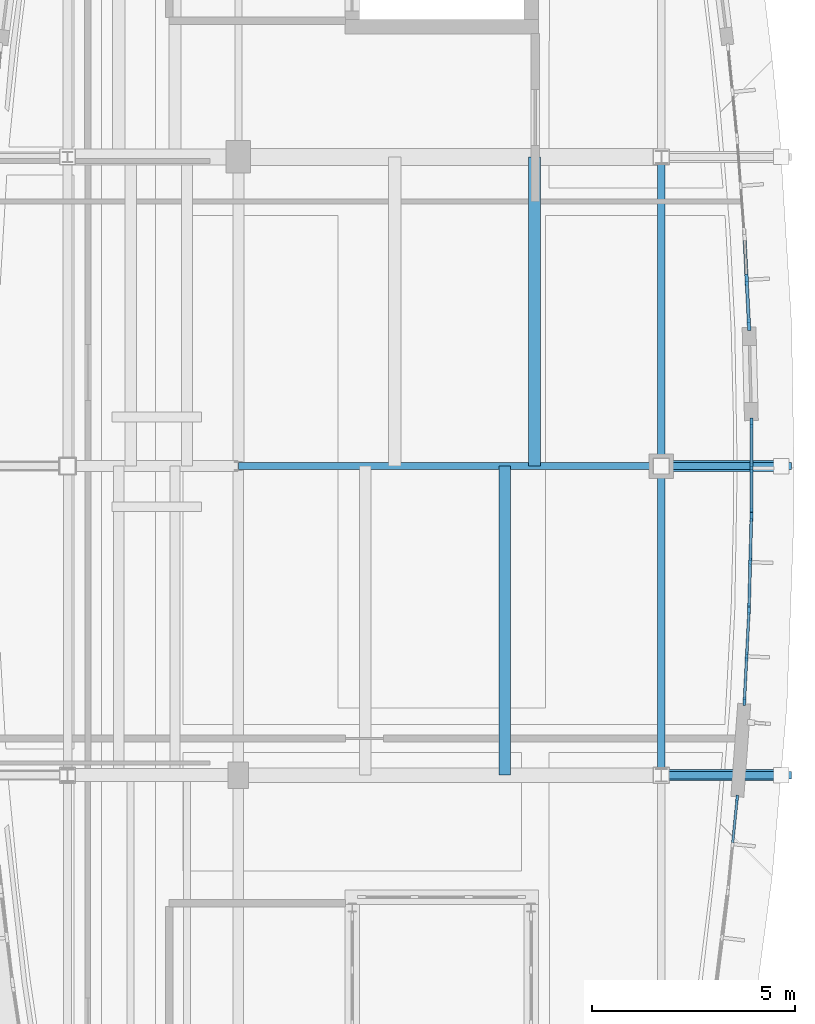
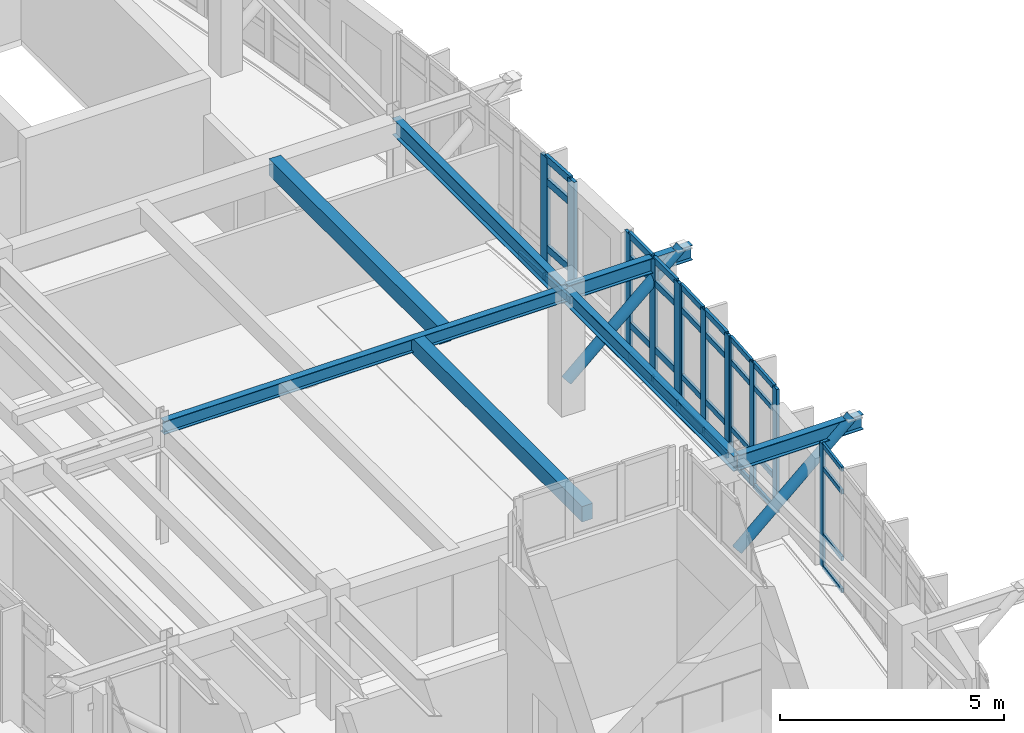
# One storey, part 8 of 20: 47 members, 7 beams, 5 elements without a shape of their own.
"""IFC4 building model written with IfcOpenShell, lengths in metres."""

from ifc_helpers import new_model, si_unit, direction, frame, origin, origin_2d, place, context, subcontext, project, spatial, rectangle, hollow_circle, i_section, extrude, material, material_profile, profile_set, type_object, element, aggregate, save


model = new_model("IFC4")

# Units and contexts
model_context = context("Model", 3, precision=1e-05, world=origin(), true_north=direction((0.0, 1.0)))
body_context = subcontext(model_context, "Body", "Model", "MODEL_VIEW")
ifc_project = project(units=[si_unit("LENGTHUNIT", "METRE"), si_unit("AREAUNIT", "SQUARE_METRE"), si_unit("VOLUMEUNIT", "CUBIC_METRE"), si_unit("PLANEANGLEUNIT", "RADIAN"), si_unit("MASSUNIT", "GRAM", prefix="KILO")], contexts=[model_context])

# Site, building, storey
site_placement = place(None, origin())
site = spatial("IfcSite", under=ifc_project, at=site_placement, CompositionType="ELEMENT")
building_placement = place(site_placement, origin())
building = spatial("IfcBuilding", under=site, at=building_placement, Name="Corveleigh Park Community Centre", CompositionType="ELEMENT")
storey_placement = place(building_placement, frame((0.0, 0.0, 19.800048828125)))
storey = spatial("IfcBuildingStorey", under=building, at=storey_placement, Name="L05", CompositionType="ELEMENT", Elevation=19.800048828125)

# Beams
ifc_material_1 = material(Name="Concrete C40/50", Category="concrete")
ifc_material_profile_1 = material_profile(ifc_material_1, rectangle(XDim=0.27490234375, YDim=0.425048828125, at=origin_2d()), Name="RC-275x425", Category="concrete")
ifc_profile_set_1 = profile_set([ifc_material_profile_1], Name="Concrete C40/50")
beam_type_1 = type_object("IfcBeamType", Name="BM-RC-275x425", PredefinedType="JOIST", material=ifc_profile_set_1)
beam_1_placement = place(storey_placement, frame((164.552001953125, 73.804931640625, 3.099365234375), z_axis=(0.0, 1.0, 0.0), x_axis=(-1.0, 0.0, 0.0)))
element("IfcBeam", 1, at=beam_1_placement, inside=storey, type_object=beam_type_1, Name="Secondary floor joist", PredefinedType="JOIST", context=body_context, shape_type="SweptSolid", body=[
    extrude(rectangle(XDim=0.27490234375, YDim=0.425048828125, at=origin_2d()), origin(), (0.0, 0.0, 1.0), 7.590087890625),
])
ifc_material_profile_2 = material_profile(ifc_material_1, rectangle(XDim=0.300048828125, YDim=0.449951171875, at=origin_2d()), Name="RC-300x450", Category="concrete")
ifc_profile_set_2 = profile_set([ifc_material_profile_2], Name="Concrete C40/50")
beam_type_2 = type_object("IfcBeamType", Name="BM-RC-300x450", PredefinedType="JOIST", material=ifc_profile_set_2)
beam_2_placement = place(storey_placement, frame((165.280029296875, 81.405029296875, 3.0869140625), z_axis=(0.0, 1.0, 0.0), x_axis=(-1.0, 0.0, 0.0)))
element("IfcBeam", 2, at=beam_2_placement, inside=storey, type_object=beam_type_2, Name="Secondary floor joist", PredefinedType="JOIST", context=body_context, shape_type="SweptSolid", body=[
    extrude(rectangle(XDim=0.300048828125, YDim=0.449951171875, at=origin_2d()), origin(), (0.0, 0.0, 1.0), 7.590087890625),
])
ifc_material_2 = material(Name="Steel S355", Category="steel")
ifc_material_profile_3 = material_profile(ifc_material_2, i_section(OverallWidth=0.172119140625, OverallDepth=0.35791015625, WebThickness=0.008056640625, FlangeThickness=0.012939453125, at=origin_2d()), Name="UKB 356x171x57", Category="steel")
ifc_profile_set_3 = profile_set([ifc_material_profile_3], Name="Steel S355")
beam_type_3 = type_object("IfcBeamType", Name="BM-STL-UKB356x57", PredefinedType="BEAM", material=ifc_profile_set_3)
beam_3_placement = place(storey_placement, frame((158.0048828125, 81.39990234375, 3.133056640625), z_axis=(1.0, 0.0, 0.0), x_axis=(0.0, 1.0, 0.0)))
element("IfcBeam", 3, at=beam_3_placement, inside=storey, type_object=beam_type_3, Name="V4 Girder X", PredefinedType="BEAM", context=body_context, shape_type="SweptSolid", body=[
    extrude(i_section(OverallWidth=0.172119140625, OverallDepth=0.35791015625, WebThickness=0.008056640625, FlangeThickness=0.012939453125, at=origin_2d()), origin(), (0.0, 0.0, 1.0), 10.39013671875),
])
ifc_material_profile_4 = material_profile(ifc_material_2, i_section(OverallWidth=0.1787109375, OverallDepth=0.409423828125, WebThickness=0.0087890625, FlangeThickness=0.014404296875, at=origin_2d()), Name="UKB 406x178x67", Category="steel")
ifc_profile_set_4 = profile_set([ifc_material_profile_4], Name="Steel S355")
beam_type_4 = type_object("IfcBeamType", Name="BM-STL-UKB406x67", PredefinedType="BEAM", material=ifc_profile_set_4)
for number, where, z_axis, x_axis, name in (
    (4, (168.409912109375, 73.800048828125, 3.1591796875), (1.0, 0.0, 0.0), (0.0, 1.0, 0.0), "V4 Crown Overhang Strut X7Y2 Outrigger"),
    (5, (168.409912109375, 81.39990234375, 3.1591796875), (1.0, 0.0, 0.0), (0.0, 1.0, 0.0), "V4 Crown Overhang Strut X7Y3 Outrigger"),
):
    element("IfcBeam", number, at=place(storey_placement, frame(where, z_axis=z_axis, x_axis=x_axis)), inside=storey, type_object=beam_type_4, Name=name, PredefinedType="BEAM", context=body_context, shape_type="SweptSolid", body=[
        extrude(i_section(OverallWidth=0.1787109375, OverallDepth=0.409423828125, WebThickness=0.0087890625, FlangeThickness=0.014404296875, at=origin_2d()), origin(), (0.0, 0.0, 1.0), 3.190185546875),
    ])
ifc_material_profile_5 = material_profile(ifc_material_2, i_section(OverallWidth=0.179443359375, OverallDepth=0.412841796875, WebThickness=0.009521484375, FlangeThickness=0.01611328125, at=origin_2d()), Name="UKB 406x178x74", Category="steel")
ifc_profile_set_5 = profile_set([ifc_material_profile_5], Name="Steel S355")
beam_type_5 = type_object("IfcBeamType", Name="BM-STL-UKB406x74", PredefinedType="BEAM", material=ifc_profile_set_5)
beam_4_placement = place(storey_placement, frame((168.39990234375, 73.804931640625, 3.10546875), z_axis=(0.0, 1.0, 0.0), x_axis=(-1.0, 0.0, 0.0)))
element("IfcBeam", 6, at=beam_4_placement, inside=storey, type_object=beam_type_5, Name="V4 Girder Y", PredefinedType="BEAM", context=body_context, shape_type="SweptSolid", body=[
    extrude(i_section(OverallWidth=0.179443359375, OverallDepth=0.412841796875, WebThickness=0.009521484375, FlangeThickness=0.01611328125, at=origin_2d()), origin(), (0.0, 0.0, 1.0), 7.590087890625),
])
ifc_material_profile_6 = material_profile(ifc_material_2, i_section(OverallWidth=0.18994140625, OverallDepth=0.453369140625, WebThickness=0.008544921875, FlangeThickness=0.0126953125, at=origin_2d()), Name="UKB 457x191x67", Category="steel")
ifc_profile_set_6 = profile_set([ifc_material_profile_6], Name="Steel S355")
beam_type_6 = type_object("IfcBeamType", Name="BM-STL-UKB457x67", PredefinedType="BEAM", material=ifc_profile_set_6)
beam_5_placement = place(storey_placement, frame((168.39990234375, 81.405029296875, 3.085205078125), z_axis=(0.0, 1.0, 0.0), x_axis=(-1.0, 0.0, 0.0)))
element("IfcBeam", 7, at=beam_5_placement, inside=storey, type_object=beam_type_6, Name="V4 Girder Y", PredefinedType="BEAM", context=body_context, shape_type="SweptSolid", body=[
    extrude(i_section(OverallWidth=0.18994140625, OverallDepth=0.453369140625, WebThickness=0.008544921875, FlangeThickness=0.0126953125, at=origin_2d()), origin(), (0.0, 0.0, 1.0), 7.590087890625),
])

# Curtain wall, member
ifc_material_3 = material(Name="Anodised aluminium 6063-T6", Category="aluminium")
curtain_wall_type = type_object("IfcCurtainWallType", Name="CW-SYS-V4-L03", PredefinedType="NOTDEFINED", material=ifc_material_3)
curtain_wall_1_placement = place(storey_placement, origin())
curtain_wall_1 = element("IfcCurtainWall", 8, at=curtain_wall_1_placement, inside=storey, type_object=curtain_wall_type, Name="V4 L05 Curtain Wall 476", PredefinedType="NOTDEFINED")
ifc_material_profile_7 = material_profile(ifc_material_3, rectangle(XDim=0.06494140625, YDim=0.179931640625, at=origin_2d()), Name="ALU-M65x180", Category="aluminium")
ifc_profile_set_7 = profile_set([ifc_material_profile_7], Name="Anodised aluminium 6063-T6")
member_type_1 = type_object("IfcMemberType", Name="CWM-65x180", PredefinedType="MULLION", material=ifc_profile_set_7)
member_1_placement = place(storey_placement, frame((170.263671875, 73.215576171875, 0.0), z_axis=(0.0, 0.0, 1.0), x_axis=(0.995015609659, -0.099719288676, 0.0)))
member_1 = element("IfcMember", 9, at=member_1_placement, type_object=member_type_1, Name="CW09 mullion 1", PredefinedType="MULLION", context=body_context, shape_type="SweptSolid", body=[
    extrude(rectangle(XDim=0.06494140625, YDim=0.179931640625, at=origin_2d()), origin(), (0.0, 0.0, 1.0), 3.364013671875),
])

# Curtain wall, members
curtain_wall_2_placement = place(storey_placement, origin())
curtain_wall_2 = element("IfcCurtainWall", 10, at=curtain_wall_2_placement, inside=storey, type_object=curtain_wall_type, Name="V4 L05 Curtain Wall 477", PredefinedType="NOTDEFINED")
ifc_material_profile_8 = material_profile(ifc_material_3, rectangle(XDim=0.070068359375, YDim=0.199951171875, at=origin_2d()), Name="ALU-M70x200", Category="aluminium")
ifc_profile_set_8 = profile_set([ifc_material_profile_8], Name="Anodised aluminium 6063-T6")
member_type_2 = type_object("IfcMemberType", Name="CWM-70x200", PredefinedType="MULLION", material=ifc_profile_set_8)
member_2_placement = place(storey_placement, frame((170.55517578125, 77.833984375, 0.0), z_axis=(0.0, 0.0, 1.0), x_axis=(0.998725060912, -0.050480220936, 0.0)))
member_2 = element("IfcMember", 11, at=member_2_placement, type_object=member_type_2, Name="CW09 mullion 1", PredefinedType="MULLION", context=body_context, shape_type="SweptSolid", body=[
    extrude(rectangle(XDim=0.070068359375, YDim=0.199951171875, at=origin_2d()), origin(), (0.0, 0.0, 1.0), 3.364013671875),
])
member_3_placement = place(storey_placement, frame((170.4990234375, 76.721435546875, 0.0), z_axis=(0.0, 0.0, 1.0), x_axis=(0.998725060912, -0.050480220936, 0.0)))
member_3 = element("IfcMember", 12, at=member_3_placement, type_object=member_type_2, Name="CW09 mullion 2", PredefinedType="MULLION", context=body_context, shape_type="SweptSolid", body=[
    extrude(rectangle(XDim=0.070068359375, YDim=0.199951171875, at=origin_2d()), origin(), (0.0, 0.0, 1.0), 3.364013671875),
])
member_4_placement = place(storey_placement, frame((170.44287109375, 75.60888671875, 0.0), z_axis=(0.0, 0.0, 1.0), x_axis=(0.998725060912, -0.050480220936, 0.0)))
member_4 = element("IfcMember", 13, at=member_4_placement, type_object=member_type_2, Name="CW09 mullion 3", PredefinedType="MULLION", context=body_context, shape_type="SweptSolid", body=[
    extrude(rectangle(XDim=0.070068359375, YDim=0.199951171875, at=origin_2d()), origin(), (0.0, 0.0, 1.0), 3.364013671875),
])

curtain_wall_3_placement = place(storey_placement, origin())
curtain_wall_3 = element("IfcCurtainWall", 14, at=curtain_wall_3_placement, inside=storey, type_object=curtain_wall_type, Name="V4 L05 Curtain Wall 478", PredefinedType="NOTDEFINED")
ifc_material_profile_9 = material_profile(ifc_material_3, rectangle(XDim=0.074951171875, YDim=0.219970703125, at=origin_2d()), Name="ALU-M75x220", Category="aluminium")
ifc_profile_set_9 = profile_set([ifc_material_profile_9], Name="Anodised aluminium 6063-T6")
member_type_3 = type_object("IfcMemberType", Name="CWM-75x220", PredefinedType="MULLION", material=ifc_profile_set_9)
member_5_placement = place(storey_placement, frame((170.614013671875, 80.1455078125, 0.0), z_axis=(0.0, 0.0, 1.0), x_axis=(0.999681085378, -0.025253267842, 0.0)))
member_5 = element("IfcMember", 15, at=member_5_placement, type_object=member_type_3, Name="CW09 mullion 1", PredefinedType="MULLION", context=body_context, shape_type="SweptSolid", body=[
    extrude(rectangle(XDim=0.074951171875, YDim=0.219970703125, at=origin_2d()), origin(), (0.0, 0.0, 1.0), 3.364013671875),
])
member_6_placement = place(storey_placement, frame((170.5859375, 79.034912109375, 0.0), z_axis=(0.0, 0.0, 1.0), x_axis=(0.999681085378, -0.025253267842, 0.0)))
member_6 = element("IfcMember", 16, at=member_6_placement, type_object=member_type_3, Name="CW09 mullion 2", PredefinedType="MULLION", context=body_context, shape_type="SweptSolid", body=[
    extrude(rectangle(XDim=0.074951171875, YDim=0.219970703125, at=origin_2d()), origin(), (0.0, 0.0, 1.0), 3.364013671875),
])
member_7_placement = place(storey_placement, frame((170.557861328125, 77.924560546875, 0.0), z_axis=(0.0, 0.0, 1.0), x_axis=(0.999681085378, -0.025253267842, 0.0)))
member_7 = element("IfcMember", 17, at=member_7_placement, type_object=member_type_3, Name="CW09 mullion 3", PredefinedType="MULLION", context=body_context, shape_type="SweptSolid", body=[
    extrude(rectangle(XDim=0.074951171875, YDim=0.219970703125, at=origin_2d()), origin(), (0.0, 0.0, 1.0), 3.364013671875),
])

curtain_wall_4_placement = place(storey_placement, origin())
curtain_wall_4 = element("IfcCurtainWall", 18, at=curtain_wall_4_placement, inside=storey, type_object=curtain_wall_type, Name="V4 L05 Curtain Wall 479", PredefinedType="NOTDEFINED")
ifc_material_profile_10 = material_profile(ifc_material_3, rectangle(XDim=0.080078125, YDim=0.25, at=origin_2d()), Name="ALU-M80x250", Category="aluminium")
ifc_profile_set_10 = profile_set([ifc_material_profile_10], Name="Anodised aluminium 6063-T6")
member_type_4 = type_object("IfcMemberType", Name="CWM-80x250", PredefinedType="MULLION", material=ifc_profile_set_10)
member_8_placement = place(storey_placement, frame((170.614990234375, 82.458984375, 0.0), z_axis=(0.0, 0.0, 1.0), x_axis=(1.0, 0.0, 0.0)))
member_8 = element("IfcMember", 19, at=member_8_placement, type_object=member_type_4, Name="CW09 mullion 1", PredefinedType="MULLION", context=body_context, shape_type="SweptSolid", body=[
    extrude(rectangle(XDim=0.080078125, YDim=0.25, at=origin_2d()), origin(), (0.0, 0.0, 1.0), 3.364013671875),
])
member_9_placement = place(storey_placement, frame((170.614990234375, 81.35009765625, 0.0), z_axis=(0.0, 0.0, 1.0), x_axis=(1.0, 0.0, 0.0)))
member_9 = element("IfcMember", 20, at=member_9_placement, type_object=member_type_4, Name="CW09 mullion 2", PredefinedType="MULLION", context=body_context, shape_type="SweptSolid", body=[
    extrude(rectangle(XDim=0.080078125, YDim=0.25, at=origin_2d()), origin(), (0.0, 0.0, 1.0), 3.364013671875),
])
member_10_placement = place(storey_placement, frame((170.614990234375, 80.240966796875, 0.0), z_axis=(0.0, 0.0, 1.0), x_axis=(1.0, 0.0, 0.0)))
member_10 = element("IfcMember", 21, at=member_10_placement, type_object=member_type_4, Name="CW09 mullion 3", PredefinedType="MULLION", context=body_context, shape_type="SweptSolid", body=[
    extrude(rectangle(XDim=0.080078125, YDim=0.25, at=origin_2d()), origin(), (0.0, 0.0, 1.0), 3.364013671875),
])

curtain_wall_5_placement = place(storey_placement, origin())
curtain_wall_5 = element("IfcCurtainWall", 22, at=curtain_wall_5_placement, inside=storey, type_object=curtain_wall_type, Name="V4 L05 Curtain Wall 480", PredefinedType="NOTDEFINED")
ifc_material_profile_11 = material_profile(ifc_material_3, rectangle(XDim=0.0849609375, YDim=0.27490234375, at=origin_2d()), Name="ALU-M85x275", Category="aluminium")
ifc_profile_set_11 = profile_set([ifc_material_profile_11], Name="Anodised aluminium 6063-T6")
member_type_5 = type_object("IfcMemberType", Name="CWM-85x275", PredefinedType="MULLION", material=ifc_profile_set_11)
member_11_placement = place(storey_placement, frame((170.4990234375, 85.978515625, 0.0), z_axis=(0.0, 0.0, 1.0), x_axis=(0.998725060912, 0.050480220936, 0.0)))
member_11 = element("IfcMember", 23, at=member_11_placement, type_object=member_type_5, Name="CW09 mullion 2", PredefinedType="MULLION", context=body_context, shape_type="SweptSolid", body=[
    extrude(rectangle(XDim=0.0849609375, YDim=0.27490234375, at=origin_2d()), origin(), (0.0, 0.0, 1.0), 3.364013671875),
])
member_12_placement = place(storey_placement, frame((170.554931640625, 84.87353515625, 0.0), z_axis=(0.0, 0.0, 1.0), x_axis=(0.998725060912, 0.050480220936, 0.0)))
member_12 = element("IfcMember", 24, at=member_12_placement, type_object=member_type_5, Name="CW09 mullion 3", PredefinedType="MULLION", context=body_context, shape_type="SweptSolid", body=[
    extrude(rectangle(XDim=0.0849609375, YDim=0.27490234375, at=origin_2d()), origin(), (0.0, 0.0, 1.0), 3.364013671875),
])

# Member
ifc_material_profile_12 = material_profile(ifc_material_3, rectangle(XDim=0.06005859375, YDim=0.1201171875, at=origin_2d()), Name="ALU-T60x120", Category="aluminium")
ifc_profile_set_12 = profile_set([ifc_material_profile_12], Name="Anodised aluminium 6063-T6")
member_type_6 = type_object("IfcMemberType", Name="CWT-60x120", PredefinedType="USERDEFINED", material=ifc_profile_set_12)
member_13_placement = place(storey_placement, frame((170.260498046875, 73.183349609375, 0.030029296875), z_axis=(-0.099687774693, -0.99501876745, 0.0), x_axis=(0.99501876745, -0.099687774693, 0.0)))
member_13 = element("IfcMember", 25, at=member_13_placement, type_object=member_type_6, Name="CW09 transom 1.1", ObjectType="TRANSOM", PredefinedType="USERDEFINED", context=body_context, shape_type="SweptSolid", body=[
    extrude(rectangle(XDim=0.06005859375, YDim=0.1201171875, at=origin_2d()), origin(), (0.0, 0.0, 1.0), 1.050537109375),
])

member_14_placement = place(storey_placement, frame((170.260498046875, 73.183349609375, 0.89990234375), z_axis=(-0.099687774693, -0.99501876745, 0.0), x_axis=(0.99501876745, -0.099687774693, 0.0)))
member_14 = element("IfcMember", 26, at=member_14_placement, type_object=member_type_6, Name="CW09 transom 1.2", ObjectType="TRANSOM", PredefinedType="USERDEFINED", context=body_context, shape_type="SweptSolid", body=[
    extrude(rectangle(XDim=0.06005859375, YDim=0.1201171875, at=origin_2d()), origin(), (0.0, 0.0, 1.0), 1.050537109375),
])

member_15_placement = place(storey_placement, frame((170.260498046875, 73.183349609375, 2.7138671875), z_axis=(-0.099687774693, -0.99501876745, 0.0), x_axis=(0.99501876745, -0.099687774693, 0.0)))
member_15 = element("IfcMember", 27, at=member_15_placement, type_object=member_type_6, Name="CW09 transom 1.3", ObjectType="TRANSOM", PredefinedType="USERDEFINED", context=body_context, shape_type="SweptSolid", body=[
    extrude(rectangle(XDim=0.06005859375, YDim=0.1201171875, at=origin_2d()), origin(), (0.0, 0.0, 1.0), 1.050537109375),
])

member_16_placement = place(storey_placement, frame((170.260498046875, 73.183349609375, 3.333984375), z_axis=(-0.099687774693, -0.99501876745, 0.0), x_axis=(0.99501876745, -0.099687774693, 0.0)))
member_16 = element("IfcMember", 28, at=member_16_placement, type_object=member_type_6, Name="CW09 transom 1.4", ObjectType="TRANSOM", PredefinedType="USERDEFINED", context=body_context, shape_type="SweptSolid", body=[
    extrude(rectangle(XDim=0.06005859375, YDim=0.1201171875, at=origin_2d()), origin(), (0.0, 0.0, 1.0), 1.050537109375),
])

aggregate(curtain_wall_1, [member_1, member_13, member_14, member_15, member_16])

ifc_material_profile_13 = material_profile(ifc_material_3, rectangle(XDim=0.06494140625, YDim=0.139892578125, at=origin_2d()), Name="ALU-T65x140", Category="aluminium")
ifc_profile_set_13 = profile_set([ifc_material_profile_13], Name="Anodised aluminium 6063-T6")
member_type_7 = type_object("IfcMemberType", Name="CWT-65x140", PredefinedType="USERDEFINED", material=ifc_profile_set_13)
member_17_placement = place(storey_placement, frame((170.553466796875, 77.799072265625, 0.032470703125), z_axis=(-0.050509084043, -0.998723601618, 0.0), x_axis=(0.998723601618, -0.050509084043, 0.0)))
member_17 = element("IfcMember", 29, at=member_17_placement, type_object=member_type_7, Name="CW09 transom 1.1", ObjectType="TRANSOM", PredefinedType="USERDEFINED", context=body_context, shape_type="SweptSolid", body=[
    extrude(rectangle(XDim=0.06494140625, YDim=0.139892578125, at=origin_2d()), origin(), (0.0, 0.0, 1.0), 1.0439453125),
])

member_18_placement = place(storey_placement, frame((170.553466796875, 77.799072265625, 0.89990234375), z_axis=(-0.050509084043, -0.998723601618, 0.0), x_axis=(0.998723601618, -0.050509084043, 0.0)))
member_18 = element("IfcMember", 30, at=member_18_placement, type_object=member_type_7, Name="CW09 transom 1.2", ObjectType="TRANSOM", PredefinedType="USERDEFINED", context=body_context, shape_type="SweptSolid", body=[
    extrude(rectangle(XDim=0.06494140625, YDim=0.139892578125, at=origin_2d()), origin(), (0.0, 0.0, 1.0), 1.0439453125),
])

member_19_placement = place(storey_placement, frame((170.553466796875, 77.799072265625, 2.7138671875), z_axis=(-0.050509084043, -0.998723601618, 0.0), x_axis=(0.998723601618, -0.050509084043, 0.0)))
member_19 = element("IfcMember", 31, at=member_19_placement, type_object=member_type_7, Name="CW09 transom 1.3", ObjectType="TRANSOM", PredefinedType="USERDEFINED", context=body_context, shape_type="SweptSolid", body=[
    extrude(rectangle(XDim=0.06494140625, YDim=0.139892578125, at=origin_2d()), origin(), (0.0, 0.0, 1.0), 1.0439453125),
])

member_20_placement = place(storey_placement, frame((170.553466796875, 77.799072265625, 3.33154296875), z_axis=(-0.050509084043, -0.998723601618, 0.0), x_axis=(0.998723601618, -0.050509084043, 0.0)))
member_20 = element("IfcMember", 32, at=member_20_placement, type_object=member_type_7, Name="CW09 transom 1.4", ObjectType="TRANSOM", PredefinedType="USERDEFINED", context=body_context, shape_type="SweptSolid", body=[
    extrude(rectangle(XDim=0.06494140625, YDim=0.139892578125, at=origin_2d()), origin(), (0.0, 0.0, 1.0), 1.0439453125),
])

member_21_placement = place(storey_placement, frame((170.497314453125, 76.6865234375, 0.032470703125), z_axis=(-0.050509084043, -0.998723601618, 0.0), x_axis=(0.998723601618, -0.050509084043, 0.0)))
member_21 = element("IfcMember", 33, at=member_21_placement, type_object=member_type_7, Name="CW09 transom 2.1", ObjectType="TRANSOM", PredefinedType="USERDEFINED", context=body_context, shape_type="SweptSolid", body=[
    extrude(rectangle(XDim=0.06494140625, YDim=0.139892578125, at=origin_2d()), origin(), (0.0, 0.0, 1.0), 1.0439453125),
])

member_22_placement = place(storey_placement, frame((170.497314453125, 76.6865234375, 0.89990234375), z_axis=(-0.050509084043, -0.998723601618, 0.0), x_axis=(0.998723601618, -0.050509084043, 0.0)))
member_22 = element("IfcMember", 34, at=member_22_placement, type_object=member_type_7, Name="CW09 transom 2.2", ObjectType="TRANSOM", PredefinedType="USERDEFINED", context=body_context, shape_type="SweptSolid", body=[
    extrude(rectangle(XDim=0.06494140625, YDim=0.139892578125, at=origin_2d()), origin(), (0.0, 0.0, 1.0), 1.0439453125),
])

member_23_placement = place(storey_placement, frame((170.497314453125, 76.6865234375, 2.7138671875), z_axis=(-0.050509084043, -0.998723601618, 0.0), x_axis=(0.998723601618, -0.050509084043, 0.0)))
member_23 = element("IfcMember", 35, at=member_23_placement, type_object=member_type_7, Name="CW09 transom 2.3", ObjectType="TRANSOM", PredefinedType="USERDEFINED", context=body_context, shape_type="SweptSolid", body=[
    extrude(rectangle(XDim=0.06494140625, YDim=0.139892578125, at=origin_2d()), origin(), (0.0, 0.0, 1.0), 1.0439453125),
])

member_24_placement = place(storey_placement, frame((170.497314453125, 76.6865234375, 3.33154296875), z_axis=(-0.050509084043, -0.998723601618, 0.0), x_axis=(0.998723601618, -0.050509084043, 0.0)))
member_24 = element("IfcMember", 36, at=member_24_placement, type_object=member_type_7, Name="CW09 transom 2.4", ObjectType="TRANSOM", PredefinedType="USERDEFINED", context=body_context, shape_type="SweptSolid", body=[
    extrude(rectangle(XDim=0.06494140625, YDim=0.139892578125, at=origin_2d()), origin(), (0.0, 0.0, 1.0), 1.0439453125),
])

aggregate(curtain_wall_2, [member_2, member_3, member_4, member_17, member_18, member_19, member_20, member_21, member_22, member_23, member_24])

ifc_material_profile_14 = material_profile(ifc_material_3, rectangle(XDim=0.070068359375, YDim=0.155029296875, at=origin_2d()), Name="ALU-T70x155", Category="aluminium")
ifc_profile_set_14 = profile_set([ifc_material_profile_14], Name="Anodised aluminium 6063-T6")
member_type_8 = type_object("IfcMemberType", Name="CWT-70x155", PredefinedType="USERDEFINED", material=ifc_profile_set_14)
member_25_placement = place(storey_placement, frame((170.613037109375, 80.10791015625, 0.034912109375), z_axis=(-0.025221872422, -0.999681877975, 0.0), x_axis=(0.999681877975, -0.025221872422, 0.0)))
member_25 = element("IfcMember", 37, at=member_25_placement, type_object=member_type_8, Name="CW09 transom 1.1", ObjectType="TRANSOM", PredefinedType="USERDEFINED", context=body_context, shape_type="SweptSolid", body=[
    extrude(rectangle(XDim=0.070068359375, YDim=0.155029296875, at=origin_2d()), origin(), (0.0, 0.0, 1.0), 1.03564453125),
])

member_26_placement = place(storey_placement, frame((170.613037109375, 80.10791015625, 0.89990234375), z_axis=(-0.025221872422, -0.999681877975, 0.0), x_axis=(0.999681877975, -0.025221872422, 0.0)))
member_26 = element("IfcMember", 38, at=member_26_placement, type_object=member_type_8, Name="CW09 transom 1.2", ObjectType="TRANSOM", PredefinedType="USERDEFINED", context=body_context, shape_type="SweptSolid", body=[
    extrude(rectangle(XDim=0.070068359375, YDim=0.155029296875, at=origin_2d()), origin(), (0.0, 0.0, 1.0), 1.03564453125),
])

member_27_placement = place(storey_placement, frame((170.613037109375, 80.10791015625, 2.7138671875), z_axis=(-0.025221872422, -0.999681877975, 0.0), x_axis=(0.999681877975, -0.025221872422, 0.0)))
member_27 = element("IfcMember", 39, at=member_27_placement, type_object=member_type_8, Name="CW09 transom 1.3", ObjectType="TRANSOM", PredefinedType="USERDEFINED", context=body_context, shape_type="SweptSolid", body=[
    extrude(rectangle(XDim=0.070068359375, YDim=0.155029296875, at=origin_2d()), origin(), (0.0, 0.0, 1.0), 1.03564453125),
])

member_28_placement = place(storey_placement, frame((170.613037109375, 80.10791015625, 3.328857421875), z_axis=(-0.025221872422, -0.999681877975, 0.0), x_axis=(0.999681877975, -0.025221872422, 0.0)))
member_28 = element("IfcMember", 40, at=member_28_placement, type_object=member_type_8, Name="CW09 transom 1.4", ObjectType="TRANSOM", PredefinedType="USERDEFINED", context=body_context, shape_type="SweptSolid", body=[
    extrude(rectangle(XDim=0.070068359375, YDim=0.155029296875, at=origin_2d()), origin(), (0.0, 0.0, 1.0), 1.03564453125),
])

member_29_placement = place(storey_placement, frame((170.5849609375, 78.99755859375, 0.034912109375), z_axis=(-0.025215930453, -0.999682027873, 0.0), x_axis=(0.999682027873, -0.025215930453, 0.0)))
member_29 = element("IfcMember", 41, at=member_29_placement, type_object=member_type_8, Name="CW09 transom 2.1", ObjectType="TRANSOM", PredefinedType="USERDEFINED", context=body_context, shape_type="SweptSolid", body=[
    extrude(rectangle(XDim=0.070068359375, YDim=0.155029296875, at=origin_2d()), origin(), (0.0, 0.0, 1.0), 1.035888671875),
])

member_30_placement = place(storey_placement, frame((170.5849609375, 78.99755859375, 0.89990234375), z_axis=(-0.025215930453, -0.999682027873, 0.0), x_axis=(0.999682027873, -0.025215930453, 0.0)))
member_30 = element("IfcMember", 42, at=member_30_placement, type_object=member_type_8, Name="CW09 transom 2.2", ObjectType="TRANSOM", PredefinedType="USERDEFINED", context=body_context, shape_type="SweptSolid", body=[
    extrude(rectangle(XDim=0.070068359375, YDim=0.155029296875, at=origin_2d()), origin(), (0.0, 0.0, 1.0), 1.035888671875),
])

member_31_placement = place(storey_placement, frame((170.5849609375, 78.99755859375, 2.7138671875), z_axis=(-0.025215930453, -0.999682027873, 0.0), x_axis=(0.999682027873, -0.025215930453, 0.0)))
member_31 = element("IfcMember", 43, at=member_31_placement, type_object=member_type_8, Name="CW09 transom 2.3", ObjectType="TRANSOM", PredefinedType="USERDEFINED", context=body_context, shape_type="SweptSolid", body=[
    extrude(rectangle(XDim=0.070068359375, YDim=0.155029296875, at=origin_2d()), origin(), (0.0, 0.0, 1.0), 1.035888671875),
])

member_32_placement = place(storey_placement, frame((170.5849609375, 78.99755859375, 3.328857421875), z_axis=(-0.025215930453, -0.999682027873, 0.0), x_axis=(0.999682027873, -0.025215930453, 0.0)))
member_32 = element("IfcMember", 44, at=member_32_placement, type_object=member_type_8, Name="CW09 transom 2.4", ObjectType="TRANSOM", PredefinedType="USERDEFINED", context=body_context, shape_type="SweptSolid", body=[
    extrude(rectangle(XDim=0.070068359375, YDim=0.155029296875, at=origin_2d()), origin(), (0.0, 0.0, 1.0), 1.035888671875),
])

aggregate(curtain_wall_3, [member_5, member_6, member_7, member_25, member_26, member_27, member_28, member_29, member_30, member_31, member_32])

ifc_material_profile_15 = material_profile(ifc_material_3, rectangle(XDim=0.074951171875, YDim=0.175048828125, at=origin_2d()), Name="ALU-T75x175", Category="aluminium")
ifc_profile_set_15 = profile_set([ifc_material_profile_15], Name="Anodised aluminium 6063-T6")
member_type_9 = type_object("IfcMemberType", Name="CWT-75x175", PredefinedType="USERDEFINED", material=ifc_profile_set_15)
member_33_placement = place(storey_placement, frame((170.614990234375, 82.4189453125, 0.037353515625), z_axis=(0.0, -1.0, 0.0), x_axis=(1.0, 0.0, 0.0)))
member_33 = element("IfcMember", 45, at=member_33_placement, type_object=member_type_9, Name="CW09 transom 1.1", ObjectType="TRANSOM", PredefinedType="USERDEFINED", context=body_context, shape_type="SweptSolid", body=[
    extrude(rectangle(XDim=0.074951171875, YDim=0.175048828125, at=origin_2d()), origin(), (0.0, 0.0, 1.0), 1.029052734375),
])

member_34_placement = place(storey_placement, frame((170.614990234375, 82.4189453125, 0.89990234375), z_axis=(0.0, -1.0, 0.0), x_axis=(1.0, 0.0, 0.0)))
member_34 = element("IfcMember", 46, at=member_34_placement, type_object=member_type_9, Name="CW09 transom 1.2", ObjectType="TRANSOM", PredefinedType="USERDEFINED", context=body_context, shape_type="SweptSolid", body=[
    extrude(rectangle(XDim=0.074951171875, YDim=0.175048828125, at=origin_2d()), origin(), (0.0, 0.0, 1.0), 1.029052734375),
])

member_35_placement = place(storey_placement, frame((170.614990234375, 82.4189453125, 2.7138671875), z_axis=(0.0, -1.0, 0.0), x_axis=(1.0, 0.0, 0.0)))
member_35 = element("IfcMember", 47, at=member_35_placement, type_object=member_type_9, Name="CW09 transom 1.3", ObjectType="TRANSOM", PredefinedType="USERDEFINED", context=body_context, shape_type="SweptSolid", body=[
    extrude(rectangle(XDim=0.074951171875, YDim=0.175048828125, at=origin_2d()), origin(), (0.0, 0.0, 1.0), 1.029052734375),
])

member_36_placement = place(storey_placement, frame((170.614990234375, 82.4189453125, 3.326416015625), z_axis=(0.0, -1.0, 0.0), x_axis=(1.0, 0.0, 0.0)))
member_36 = element("IfcMember", 48, at=member_36_placement, type_object=member_type_9, Name="CW09 transom 1.4", ObjectType="TRANSOM", PredefinedType="USERDEFINED", context=body_context, shape_type="SweptSolid", body=[
    extrude(rectangle(XDim=0.074951171875, YDim=0.175048828125, at=origin_2d()), origin(), (0.0, 0.0, 1.0), 1.029052734375),
])

member_37_placement = place(storey_placement, frame((170.614990234375, 81.31005859375, 0.037353515625), z_axis=(0.0, -1.0, 0.0), x_axis=(1.0, 0.0, 0.0)))
member_37 = element("IfcMember", 49, at=member_37_placement, type_object=member_type_9, Name="CW09 transom 2.1", ObjectType="TRANSOM", PredefinedType="USERDEFINED", context=body_context, shape_type="SweptSolid", body=[
    extrude(rectangle(XDim=0.074951171875, YDim=0.175048828125, at=origin_2d()), origin(), (0.0, 0.0, 1.0), 1.029052734375),
])

member_38_placement = place(storey_placement, frame((170.614990234375, 81.31005859375, 0.89990234375), z_axis=(0.0, -1.0, 0.0), x_axis=(1.0, 0.0, 0.0)))
member_38 = element("IfcMember", 50, at=member_38_placement, type_object=member_type_9, Name="CW09 transom 2.2", ObjectType="TRANSOM", PredefinedType="USERDEFINED", context=body_context, shape_type="SweptSolid", body=[
    extrude(rectangle(XDim=0.074951171875, YDim=0.175048828125, at=origin_2d()), origin(), (0.0, 0.0, 1.0), 1.029052734375),
])

member_39_placement = place(storey_placement, frame((170.614990234375, 81.31005859375, 2.7138671875), z_axis=(0.0, -1.0, 0.0), x_axis=(1.0, 0.0, 0.0)))
member_39 = element("IfcMember", 51, at=member_39_placement, type_object=member_type_9, Name="CW09 transom 2.3", ObjectType="TRANSOM", PredefinedType="USERDEFINED", context=body_context, shape_type="SweptSolid", body=[
    extrude(rectangle(XDim=0.074951171875, YDim=0.175048828125, at=origin_2d()), origin(), (0.0, 0.0, 1.0), 1.029052734375),
])

member_40_placement = place(storey_placement, frame((170.614990234375, 81.31005859375, 3.326416015625), z_axis=(0.0, -1.0, 0.0), x_axis=(1.0, 0.0, 0.0)))
member_40 = element("IfcMember", 52, at=member_40_placement, type_object=member_type_9, Name="CW09 transom 2.4", ObjectType="TRANSOM", PredefinedType="USERDEFINED", context=body_context, shape_type="SweptSolid", body=[
    extrude(rectangle(XDim=0.074951171875, YDim=0.175048828125, at=origin_2d()), origin(), (0.0, 0.0, 1.0), 1.029052734375),
])

aggregate(curtain_wall_4, [member_8, member_9, member_10, member_33, member_34, member_35, member_36, member_37, member_38, member_39, member_40])

ifc_material_profile_16 = material_profile(ifc_material_3, rectangle(XDim=0.080078125, YDim=0.195068359375, at=origin_2d()), Name="ALU-T80x195", Category="aluminium")
ifc_profile_set_16 = profile_set([ifc_material_profile_16], Name="Anodised aluminium 6063-T6")
member_type_10 = type_object("IfcMemberType", Name="CWT-80x195", PredefinedType="USERDEFINED", material=ifc_profile_set_16)
member_41_placement = place(storey_placement, frame((170.4453125, 87.041015625, 0.0400390625), z_axis=(0.05043835189, -0.998727176289, 0.0), x_axis=(0.998727176289, 0.05043835189, 0.0)))
member_41 = element("IfcMember", 53, at=member_41_placement, type_object=member_type_10, Name="CW09 transom 1.1", ObjectType="TRANSOM", PredefinedType="USERDEFINED", context=body_context, shape_type="SweptSolid", body=[
    extrude(rectangle(XDim=0.080078125, YDim=0.195068359375, at=origin_2d()), origin(), (0.0, 0.0, 1.0), 1.021240234375),
])

member_42_placement = place(storey_placement, frame((170.501220703125, 85.93603515625, 0.0400390625), z_axis=(0.050426313105, -0.998727784207, 0.0), x_axis=(0.998727784207, 0.050426313105, 0.0)))
member_42 = element("IfcMember", 54, at=member_42_placement, type_object=member_type_10, Name="CW09 transom 2.1", ObjectType="TRANSOM", PredefinedType="USERDEFINED", context=body_context, shape_type="SweptSolid", body=[
    extrude(rectangle(XDim=0.080078125, YDim=0.195068359375, at=origin_2d()), origin(), (0.0, 0.0, 1.0), 1.021484375),
])

member_43_placement = place(storey_placement, frame((170.501220703125, 85.93603515625, 0.89990234375), z_axis=(0.050426313105, -0.998727784207, 0.0), x_axis=(0.998727784207, 0.050426313105, 0.0)))
member_43 = element("IfcMember", 55, at=member_43_placement, type_object=member_type_10, Name="CW09 transom 2.2", ObjectType="TRANSOM", PredefinedType="USERDEFINED", context=body_context, shape_type="SweptSolid", body=[
    extrude(rectangle(XDim=0.080078125, YDim=0.195068359375, at=origin_2d()), origin(), (0.0, 0.0, 1.0), 1.021484375),
])

member_44_placement = place(storey_placement, frame((170.501220703125, 85.93603515625, 2.7138671875), z_axis=(0.050426313105, -0.998727784207, 0.0), x_axis=(0.998727784207, 0.050426313105, 0.0)))
member_44 = element("IfcMember", 56, at=member_44_placement, type_object=member_type_10, Name="CW09 transom 2.3", ObjectType="TRANSOM", PredefinedType="USERDEFINED", context=body_context, shape_type="SweptSolid", body=[
    extrude(rectangle(XDim=0.080078125, YDim=0.195068359375, at=origin_2d()), origin(), (0.0, 0.0, 1.0), 1.021484375),
])

member_45_placement = place(storey_placement, frame((170.501220703125, 85.93603515625, 3.323974609375), z_axis=(0.050426313105, -0.998727784207, 0.0), x_axis=(0.998727784207, 0.050426313105, 0.0)))
member_45 = element("IfcMember", 57, at=member_45_placement, type_object=member_type_10, Name="CW09 transom 2.4", ObjectType="TRANSOM", PredefinedType="USERDEFINED", context=body_context, shape_type="SweptSolid", body=[
    extrude(rectangle(XDim=0.080078125, YDim=0.195068359375, at=origin_2d()), origin(), (0.0, 0.0, 1.0), 1.021484375),
])

aggregate(curtain_wall_5, [member_11, member_12, member_41, member_42, member_43, member_44, member_45])

# Members
ifc_material_profile_17 = material_profile(ifc_material_2, hollow_circle(Radius=0.136474609375, WallThickness=0.012451171875, at=origin_2d()), Name="CHS 273.0x12.5", Category="steel")
ifc_profile_set_17 = profile_set([ifc_material_profile_17], Name="Steel S355")
member_type_11 = type_object("IfcMemberType", Name="MEM-STR-CHS273E", PredefinedType="STRUT", material=ifc_profile_set_17)
for number, where, z_axis, x_axis, name in (
    (58, (168.39990234375, 73.800048828125, 0.75), (0.748675336061, 0.0, 0.662936830455), (0.0, 1.0, 0.0), "V4 Crown Overhang Strut X7Y2"),
    (59, (168.39990234375, 81.39990234375, 0.75), (0.748675336061, 0.0, 0.662936830455), (0.0, 1.0, 0.0), "V4 Crown Overhang Strut X7Y3"),
):
    element("IfcMember", number, at=place(storey_placement, frame(where, z_axis=z_axis, x_axis=x_axis)), inside=storey, type_object=member_type_11, Name=name, PredefinedType="STRUT", context=body_context, shape_type="SweptSolid", body=[
        extrude(hollow_circle(Radius=0.136474609375, WallThickness=0.012451171875, at=origin_2d()), origin(), (0.0, 0.0, 1.0), 3.932373046875),
    ])

save(model, "model.ifc")
